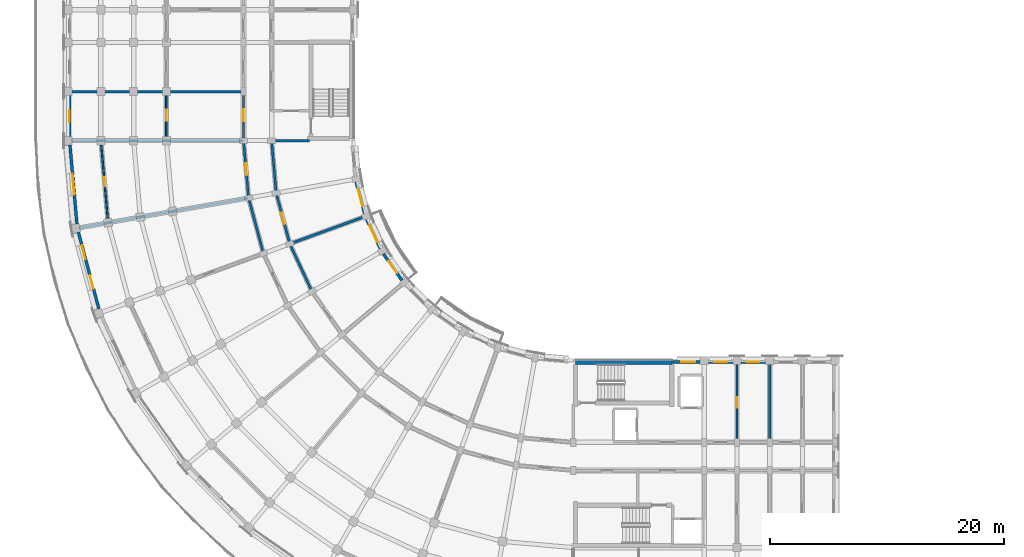
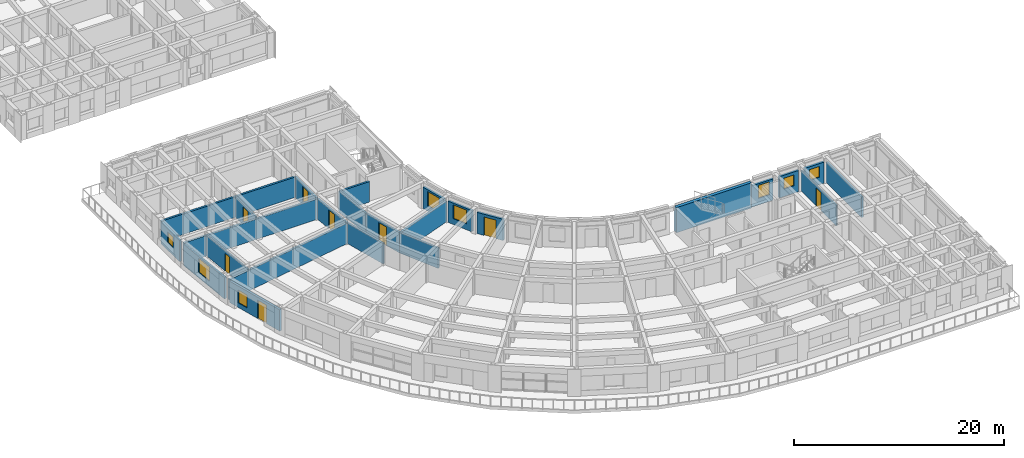
# One storey, part 20 of 57: 25 walls, 8 doors, 8 windows, 16 openings.
"""IFC4 building model written with IfcOpenShell, lengths in metres."""

from ifc_helpers import new_model, si_unit, direction, frame, frame_2d, origin, place, context, subcontext, project, spatial, rectangle, extrude, material, layer, layer_set, type_object, element, fill, save


model = new_model("IFC4")

# Units and contexts
model_context = context("Model", 3, precision=1e-05, world=origin(), true_north=direction((0.0, 1.0)))
body_context = subcontext(model_context, "Body", "Model", "MODEL_VIEW")
ifc_project = project(units=[si_unit("LENGTHUNIT", "METRE"), si_unit("AREAUNIT", "SQUARE_METRE"), si_unit("VOLUMEUNIT", "CUBIC_METRE"), si_unit("PLANEANGLEUNIT", "RADIAN"), si_unit("MASSUNIT", "GRAM", prefix="KILO")], contexts=[model_context])

# Site, building, storey
site_placement = place(None, origin())
site = spatial("IfcSite", under=ifc_project, at=site_placement, CompositionType="ELEMENT")
building_placement = place(site_placement, origin())
building = spatial("IfcBuilding", under=site, at=building_placement, Name="Kiranvali Square Residences", CompositionType="ELEMENT")
storey_placement = place(building_placement, frame((0.0, 0.0, 21.300048828125)))
storey = spatial("IfcBuildingStorey", under=building, at=storey_placement, Name="L06", CompositionType="ELEMENT", Elevation=21.300048828125)

# Wall
ifc_material_1 = material(Name="Autoclaved aerated concrete blockwork masonry", Category="masonry")
ifc_layer_1 = layer(ifc_material_1, 0.199951171875)
ifc_layer_set_1 = layer_set([ifc_layer_1], Name="Autoclaved aerated concrete blockwork masonry")
wall_type_1 = type_object("IfcWallType", Name="WL-COR-200", PredefinedType="STANDARD", material=ifc_layer_set_1)
wall_1_placement = place(storey_placement, frame((25.8564453125, 35.300048828125, 0.0), z_axis=(0.0, 0.0, 1.0), x_axis=(-0.422617978463, 0.906307919131, 0.0)))
element("IfcWall", 1, at=wall_1_placement, inside=storey, type_object=wall_type_1, Name="L06 architectural wall WL-L06-C-CCI-6", PredefinedType="STANDARD", context=body_context, shape_type="SweptSolid", body=[
    extrude(rectangle(XDim=4.497314453125, YDim=0.199951171875, at=frame_2d((2.24853515625, 0.0))), origin(), (0.0, 0.0, 1.0), 2.3720703125),
])

# Wall, opening, door
wall_2_placement = place(storey_placement, frame((23.955810546875, 39.3759765625, 0.0), z_axis=(0.0, 0.0, 1.0), x_axis=(-0.258787642463, 0.965934240054, 0.0)))
wall_2 = element("IfcWall", 2, at=wall_2_placement, inside=storey, type_object=wall_type_1, Name="L06 architectural wall WL-L06-C-CCI-7", PredefinedType="STANDARD", context=body_context, shape_type="SweptSolid", body=[
    extrude(rectangle(XDim=4.497314453125, YDim=0.199951171875, at=frame_2d((2.24853515625, 0.0))), origin(), (0.0, 0.0, 1.0), 2.3720703125),
])
opening_1_placement = place(wall_2_placement, frame((1.728515625, 0.0, 0.0)))
opening_1 = element("IfcOpeningElement", 3, at=opening_1_placement, cuts=wall_2, Name="Opening FD-APT-60B", PredefinedType="OPENING", context=body_context, shape_type="SweptSolid", body=[
    extrude(rectangle(XDim=1.0400390625, YDim=2.14990234375, at=frame_2d((0.52001953125, 1.074951171875))), frame((0.0, 0.10986328125, 0.0), z_axis=(0.0, -1.0, 0.0), x_axis=(1.0, 0.0, 0.0)), (0.0, 0.0, 1.0), 0.219970703125),
])
ifc_material_2 = material(Name="Fire-rated acoustic hardwood and mineral-core door assembly", Category="wood")
door_type_1 = type_object("IfcDoorType", Name="DR-APT-1040", OperationType="NOTDEFINED", PredefinedType="DOOR", material=ifc_material_2)
door_1_placement = place(opening_1_placement, origin())
door_1 = element("IfcDoor", 4, at=door_1_placement, inside=storey, type_object=door_type_1, Name="L06 door DR-L06-2129 (DR-APT-1040)", OperationType="SINGLE_SWING_LEFT", OverallHeight=2.14990234375, OverallWidth=1.0400390625, PredefinedType="DOOR", context=body_context, shape_type="SweptSolid", body=[
    extrude(rectangle(XDim=1.0400390625, YDim=2.14990234375, at=frame_2d((0.52001953125, 1.074951171875))), frame((0.0, 0.02490234375, 0.0), z_axis=(0.0, -1.0, 0.0), x_axis=(1.0, 0.0, 0.0)), (0.0, 0.0, 1.0), 0.050048828125),
])
fill(opening_1, door_1)

# Walls
wall_3_placement = place(storey_placement, frame((21.70068359375, 38.554931640625, 0.0), z_axis=(0.0, 0.0, 1.0), x_axis=(-0.258803112091, 0.965930095386, 0.0)))
element("IfcWall", 5, at=wall_3_placement, inside=storey, type_object=wall_type_1, Name="L06 architectural wall WL-L06-C-CCO-7", PredefinedType="STANDARD", context=body_context, shape_type="SweptSolid", body=[
    extrude(rectangle(XDim=4.915771484375, YDim=0.199951171875, at=frame_2d((2.4580078125, 0.0))), origin(), (0.0, 0.0, 1.0), 2.3720703125),
])
wall_4_placement = place(storey_placement, frame((22.7919921875, 43.719970703125, 0.0), z_axis=(0.0, 0.0, 1.0), x_axis=(-0.087187153726, 0.996191949488, 0.0)))
element("IfcWall", 6, at=wall_4_placement, inside=storey, type_object=wall_type_1, Name="L06 architectural wall WL-L06-C-CCI-8", PredefinedType="STANDARD", context=body_context, shape_type="SweptSolid", body=[
    extrude(rectangle(XDim=4.4970703125, YDim=0.199951171875, at=frame_2d((2.24853515625, 0.0))), origin(), (0.0, 0.0, 1.0), 2.3720703125),
])

# Wall, opening, door
wall_5_placement = place(storey_placement, frame((20.428466796875, 43.30322265625, 0.0), z_axis=(0.0, 0.0, 1.0), x_axis=(-0.087167566415, 0.996193663584, 0.0)))
wall_5 = element("IfcWall", 7, at=wall_5_placement, inside=storey, type_object=wall_type_1, Name="L06 architectural wall WL-L06-C-CCO-8", PredefinedType="STANDARD", context=body_context, shape_type="SweptSolid", body=[
    extrude(rectangle(XDim=4.91552734375, YDim=0.199951171875, at=frame_2d((2.457763671875, 0.0))), origin(), (0.0, 0.0, 1.0), 2.3720703125),
])
opening_2_placement = place(wall_5_placement, frame((1.957763671875, 0.0, 0.0)))
opening_2 = element("IfcOpeningElement", 8, at=opening_2_placement, cuts=wall_5, Name="Opening FD-APT-60", PredefinedType="OPENING", context=body_context, shape_type="SweptSolid", body=[
    extrude(rectangle(XDim=1.0, YDim=2.14990234375, at=frame_2d((0.5, 1.074951171875))), frame((0.0, 0.10986328125, 0.0), z_axis=(0.0, -1.0, 0.0), x_axis=(1.0, 0.0, 0.0)), (0.0, 0.0, 1.0), 0.219970703125),
])
door_type_2 = type_object("IfcDoorType", Name="DR-APT-1000", OperationType="NOTDEFINED", PredefinedType="DOOR", material=ifc_material_2)
door_2_placement = place(opening_2_placement, frame((1.0, 0.0, 0.0), z_axis=(0.0, 0.0, 1.0), x_axis=(-1.0, 0.0, 0.0)))
door_2 = element("IfcDoor", 9, at=door_2_placement, inside=storey, type_object=door_type_2, Name="L06 door DR-L06-2124 (DR-APT-1000)", OperationType="SINGLE_SWING_RIGHT", OverallHeight=2.14990234375, OverallWidth=1.0, PredefinedType="DOOR", context=body_context, shape_type="SweptSolid", body=[
    extrude(rectangle(XDim=1.0, YDim=2.14990234375, at=frame_2d((0.5, 1.074951171875))), frame((0.0, 0.02490234375, 0.0), z_axis=(0.0, -1.0, 0.0), x_axis=(1.0, 0.0, 0.0)), (0.0, 0.0, 1.0), 0.050048828125),
])
fill(opening_2, door_2)

wall_6_placement = place(storey_placement, frame((20.0, 48.35009765625, 0.0), z_axis=(0.0, 0.0, 1.0), x_axis=(0.0, 1.0, 0.0)))
wall_6 = element("IfcWall", 10, at=wall_6_placement, inside=storey, type_object=wall_type_1, Name="L06 architectural wall WL-L06-C-A2CF-C0", PredefinedType="STANDARD", context=body_context, shape_type="SweptSolid", body=[
    extrude(rectangle(XDim=4.0498046875, YDim=0.199951171875, at=frame_2d((2.02490234375, 0.0))), origin(), (0.0, 0.0, 1.0), 2.3720703125),
])
opening_3_placement = place(wall_6_placement, frame((1.52490234375, 0.0, 0.0)))
opening_3 = element("IfcOpeningElement", 11, at=opening_3_placement, cuts=wall_6, Name="Opening FD-APT-60", PredefinedType="OPENING", context=body_context, shape_type="SweptSolid", body=[
    extrude(rectangle(XDim=1.0, YDim=2.14990234375, at=frame_2d((0.5, 1.074951171875))), frame((0.0, 0.10986328125, 0.0), z_axis=(0.0, -1.0, 0.0), x_axis=(1.0, 0.0, 0.0)), (0.0, 0.0, 1.0), 0.219970703125),
])
door_3_placement = place(opening_3_placement, frame((1.0, 0.0, 0.0), z_axis=(0.0, 0.0, 1.0), x_axis=(-1.0, 0.0, 0.0)))
door_3 = element("IfcDoor", 12, at=door_3_placement, inside=storey, type_object=door_type_2, Name="L06 door DR-L06-2130 (DR-APT-1000)", OperationType="SINGLE_SWING_RIGHT", OverallHeight=2.14990234375, OverallWidth=1.0, PredefinedType="DOOR", context=body_context, shape_type="SweptSolid", body=[
    extrude(rectangle(XDim=1.0, YDim=2.14990234375, at=frame_2d((0.5, 1.074951171875))), frame((0.0, 0.02490234375, 0.0), z_axis=(0.0, -1.0, 0.0), x_axis=(1.0, 0.0, 0.0)), (0.0, 0.0, 1.0), 0.050048828125),
])
fill(opening_3, door_3)

# Walls
ifc_layer_2 = layer(ifc_material_1, 0.219970703125)
ifc_layer_set_2 = layer_set([ifc_layer_2], Name="Autoclaved aerated concrete blockwork masonry")
wall_type_2 = type_object("IfcWallType", Name="WL-DEM-220", PredefinedType="STANDARD", material=ifc_layer_set_2)
for number, where, z_axis, x_axis, name in (
    (13, (65.0, 29.199951171875, 0.0), (0.0, 0.0, 1.0), (0.0, -1.0, 0.0), "L06 architectural wall WL-L06-C-A1TI-2"),
    (14, (30.345947265625, 41.70166015625, 0.0), (0.0, 0.0, 1.0), (-0.939696231917, -0.342010221662, 0.0), "L06 architectural wall WL-L06-C-RADI-7"),
):
    element("IfcWall", number, at=place(storey_placement, frame(where, z_axis=z_axis, x_axis=x_axis)), inside=storey, type_object=wall_type_2, Name=name, PredefinedType="STANDARD", context=body_context, shape_type="SweptSolid", body=[
        extrude(rectangle(XDim=6.75, YDim=0.219970703125, at=frame_2d((3.375, 0.0))), origin(), (0.0, 0.0, 1.0), 2.3720703125),
    ])
wall_7_placement = place(storey_placement, frame((20.329833984375, 43.28564453125, 0.0), z_axis=(0.0, 0.0, 1.0), x_axis=(-0.984809269474, -0.173639577162, 0.0)))
element("IfcWall", 15, at=wall_7_placement, inside=storey, type_object=wall_type_2, Name="L06 architectural wall WL-L06-C-RADO-8", PredefinedType="STANDARD", context=body_context, shape_type="SweptSolid", body=[
    extrude(rectangle(XDim=14.619873046875, YDim=0.219970703125, at=frame_2d((7.31005859375, 0.0))), origin(), (0.0, 0.0, 1.0), 2.3720703125),
])
wall_8_placement = place(storey_placement, frame((25.64990234375, 48.199951171875, 0.0), z_axis=(0.0, 0.0, 1.0), x_axis=(-1.0, 0.0, 0.0)))
element("IfcWall", 16, at=wall_8_placement, inside=storey, type_object=wall_type_2, Name="L06 architectural wall WL-L06-C-RADI-9", PredefinedType="STANDARD", context=body_context, shape_type="SweptSolid", body=[
    extrude(rectangle(XDim=3.199951171875, YDim=0.219970703125, at=frame_2d((1.60009765625, 0.0))), origin(), (0.0, 0.0, 1.0), 2.3720703125),
])
wall_9_placement = place(storey_placement, frame((19.89990234375, 48.199951171875, 0.0), z_axis=(0.0, 0.0, 1.0), x_axis=(-1.0, 0.0, 0.0)))
element("IfcWall", 17, at=wall_9_placement, inside=storey, type_object=wall_type_2, Name="L06 architectural wall WL-L06-C-RADO-9", PredefinedType="STANDARD", context=body_context, shape_type="SweptSolid", body=[
    extrude(rectangle(XDim=14.619873046875, YDim=0.219970703125, at=frame_2d((7.31005859375, 0.0))), origin(), (0.0, 0.0, 1.0), 2.3720703125),
])
wall_10_placement = place(storey_placement, frame((19.949951171875, 52.39990234375, 0.0), z_axis=(0.0, 0.0, 1.0), x_axis=(-1.0, 0.0, 0.0)))
element("IfcWall", 18, at=wall_10_placement, inside=storey, type_object=wall_type_2, Name="L06 architectural wall WL-L06-C-A2CF-MID", PredefinedType="STANDARD", context=body_context, shape_type="SweptSolid", body=[
    extrude(rectangle(XDim=14.72998046875, YDim=0.219970703125, at=frame_2d((7.364990234375, 0.0))), origin(), (0.0, 0.0, 1.0), 2.3720703125),
])

# Wall, openings, door, window
ifc_material_3 = material(Name="Breathable lime-rendered clay brick masonry", Category="masonry")
ifc_layer_3 = layer(ifc_material_3, 0.25)
ifc_layer_set_3 = layer_set([ifc_layer_3], Name="Breathable lime-rendered clay brick masonry")
wall_type_3 = type_object("IfcWallType", Name="WL-EXT-250", PredefinedType="STANDARD", material=ifc_layer_set_3)
wall_11_placement = place(storey_placement, frame((7.628662109375, 33.820068359375, 0.0), z_axis=(0.0, 0.0, 1.0), x_axis=(-0.258814697035, 0.96592699134, 0.0)))
wall_11 = element("IfcWall", 19, at=wall_11_placement, inside=storey, type_object=wall_type_3, Name="L06 exterior wall C-L06-CRV-07", PredefinedType="STANDARD", context=body_context, shape_type="SweptSolid", body=[
    extrude(rectangle(XDim=6.778564453125, YDim=0.25, at=frame_2d((3.38916015625, 0.0))), origin(), (0.0, 0.0, 1.0), 2.47998046875),
])
opening_4_placement = place(wall_11_placement, frame((4.404541015625, 0.0, 0.530029296875)))
opening_4 = element("IfcOpeningElement", 20, at=opening_4_placement, cuts=wall_11, Name="Opening W-06", PredefinedType="OPENING", context=body_context, shape_type="SweptSolid", body=[
    extrude(rectangle(XDim=1.199951171875, YDim=1.5, at=frame_2d((0.60009765625, 0.75))), frame((0.0, 0.135009765625, 0.0), z_axis=(0.0, -1.0, 0.0), x_axis=(1.0, 0.0, 0.0)), (0.0, 0.0, 1.0), 0.27001953125),
])
opening_5_placement = place(wall_11_placement, frame((1.7724609375, 0.0, 0.0)))
opening_5 = element("IfcOpeningElement", 21, at=opening_5_placement, cuts=wall_11, Name="Opening ED-BAL-1", PredefinedType="OPENING", context=body_context, shape_type="SweptSolid", body=[
    extrude(rectangle(XDim=1.199951171875, YDim=2.14990234375, at=frame_2d((0.60009765625, 1.074951171875))), frame((0.0, 0.135009765625, 0.0), z_axis=(0.0, -1.0, 0.0), x_axis=(1.0, 0.0, 0.0)), (0.0, 0.0, 1.0), 0.27001953125),
])
ifc_material_4 = material(Name="Anodised bronze aluminium framing", Category="aluminium")
door_type_3 = type_object("IfcDoorType", Name="DR-BAL-1200", OperationType="NOTDEFINED", PredefinedType="DOOR", material=ifc_material_4)
door_4_placement = place(opening_5_placement, origin())
door_4 = element("IfcDoor", 22, at=door_4_placement, inside=storey, type_object=door_type_3, Name="L06 balcony terrace door", OperationType="SINGLE_SWING_RIGHT", OverallHeight=2.14990234375, OverallWidth=1.199951171875, PredefinedType="DOOR", context=body_context, shape_type="SweptSolid", body=[
    extrude(rectangle(XDim=1.199951171875, YDim=2.14990234375, at=frame_2d((0.60009765625, 1.074951171875))), frame((0.0, 0.02490234375, 0.0), z_axis=(0.0, -1.0, 0.0), x_axis=(1.0, 0.0, 0.0)), (0.0, 0.0, 1.0), 0.050048828125),
])
fill(opening_5, door_4)
ifc_material_5 = material(Name="Solar-control low-e double glazing", Category="glass")
window_type_1 = type_object("IfcWindowType", Name="WIN-RES-1200x1500", PartitioningType="SINGLE_PANEL", PredefinedType="WINDOW", material=ifc_material_5)
window_1_placement = place(opening_4_placement, origin())
window_1 = element("IfcWindow", 23, at=window_1_placement, inside=storey, type_object=window_type_1, Name="L06 recessed window C-L06-CRV-07", OverallHeight=1.5, OverallWidth=1.199951171875, PartitioningType="SINGLE_PANEL", PredefinedType="WINDOW", context=body_context, shape_type="SweptSolid", body=[
    extrude(rectangle(XDim=1.199951171875, YDim=1.5, at=frame_2d((0.60009765625, 0.75))), frame((0.0, 0.030029296875, 0.0), z_axis=(0.0, -1.0, 0.0), x_axis=(1.0, 0.0, 0.0)), (0.0, 0.0, 1.0), 0.06005859375),
])
fill(opening_4, window_1)

# Wall, opening, window
wall_12_placement = place(storey_placement, frame((5.748046875, 41.083740234375, 0.0), z_axis=(0.0, 0.0, 1.0), x_axis=(-0.087161141987, 0.996194225705, 0.0)))
wall_12 = element("IfcWall", 24, at=wall_12_placement, inside=storey, type_object=wall_type_3, Name="L06 exterior wall C-L06-CRV-08", PredefinedType="STANDARD", context=body_context, shape_type="SweptSolid", body=[
    extrude(rectangle(XDim=6.778564453125, YDim=0.25, at=frame_2d((3.38916015625, 0.0))), origin(), (0.0, 0.0, 1.0), 2.47998046875),
])
opening_6_placement = place(wall_12_placement, frame((2.4892578125, 0.0, 0.6298828125)))
opening_6 = element("IfcOpeningElement", 25, at=opening_6_placement, cuts=wall_12, Name="Opening W-04", PredefinedType="OPENING", context=body_context, shape_type="SweptSolid", body=[
    extrude(rectangle(XDim=1.800048828125, YDim=1.64990234375, at=frame_2d((0.89990234375, 0.824951171875))), frame((0.0, 0.135009765625, 0.0), z_axis=(0.0, -1.0, 0.0), x_axis=(1.0, 0.0, 0.0)), (0.0, 0.0, 1.0), 0.27001953125),
])
window_type_2 = type_object("IfcWindowType", Name="WIN-RES-1800x1650", PartitioningType="DOUBLE_PANEL_VERTICAL", PredefinedType="WINDOW", material=ifc_material_5)
window_2_placement = place(opening_6_placement, origin())
window_2 = element("IfcWindow", 26, at=window_2_placement, inside=storey, type_object=window_type_2, Name="L06 recessed window C-L06-CRV-08", OverallHeight=1.64990234375, OverallWidth=1.800048828125, PartitioningType="DOUBLE_PANEL_VERTICAL", PredefinedType="WINDOW", context=body_context, shape_type="SweptSolid", body=[
    extrude(rectangle(XDim=1.800048828125, YDim=1.64990234375, at=frame_2d((0.89990234375, 0.824951171875))), frame((0.0, 0.030029296875, 0.0), z_axis=(0.0, -1.0, 0.0), x_axis=(1.0, 0.0, 0.0)), (0.0, 0.0, 1.0), 0.06005859375),
])
fill(opening_6, window_2)

# Wall, opening, door
wall_13_placement = place(storey_placement, frame((33.550537109375, 36.251708984375, 0.0), z_axis=(0.0, 0.0, 1.0), x_axis=(-0.573633885053, 0.819111815273, 0.0)))
wall_13 = element("IfcWall", 27, at=wall_13_placement, inside=storey, type_object=wall_type_3, Name="L06 exterior wall C-L06-GDN-05", PredefinedType="STANDARD", context=body_context, shape_type="SweptSolid", body=[
    extrude(rectangle(XDim=2.769775390625, YDim=0.25, at=frame_2d((1.384765625, 0.0))), origin(), (0.0, 0.0, 1.0), 2.471923828125),
])
opening_7_placement = place(wall_13_placement, frame((0.7548828125, 0.0, 0.0)))
opening_7 = element("IfcOpeningElement", 28, at=opening_7_placement, cuts=wall_13, Name="Opening ED-BAL-2", PredefinedType="OPENING", context=body_context, shape_type="SweptSolid", body=[
    extrude(rectangle(XDim=1.260009765625, YDim=2.14990234375, at=frame_2d((0.6298828125, 1.074951171875))), frame((0.0, 0.135009765625, 0.0), z_axis=(0.0, -1.0, 0.0), x_axis=(1.0, 0.0, 0.0)), (0.0, 0.0, 1.0), 0.27001953125),
])
door_type_4 = type_object("IfcDoorType", Name="DR-BAL-1260", OperationType="NOTDEFINED", PredefinedType="DOOR", material=ifc_material_4)
door_5_placement = place(opening_7_placement, frame((1.260009765625, 0.0, 0.0), z_axis=(0.0, 0.0, 1.0), x_axis=(-1.0, 0.0, 0.0)))
door_5 = element("IfcDoor", 29, at=door_5_placement, inside=storey, type_object=door_type_4, Name="L06 balcony terrace door", OperationType="SINGLE_SWING_RIGHT", OverallHeight=2.14990234375, OverallWidth=1.260009765625, PredefinedType="DOOR", context=body_context, shape_type="SweptSolid", body=[
    extrude(rectangle(XDim=1.260009765625, YDim=2.14990234375, at=frame_2d((0.6298828125, 1.074951171875))), frame((0.0, 0.02490234375, 0.0), z_axis=(0.0, -1.0, 0.0), x_axis=(1.0, 0.0, 0.0)), (0.0, 0.0, 1.0), 0.050048828125),
])
fill(opening_7, door_5)

# Wall, opening, window
wall_14_placement = place(storey_placement, frame((31.6982421875, 38.97705078125, 0.0), z_axis=(0.0, 0.0, 1.0), x_axis=(-0.422649007088, 0.906293449611, 0.0)))
wall_14 = element("IfcWall", 30, at=wall_14_placement, inside=storey, type_object=wall_type_3, Name="L06 exterior wall C-L06-GDN-06", PredefinedType="STANDARD", context=body_context, shape_type="SweptSolid", body=[
    extrude(rectangle(XDim=2.769775390625, YDim=0.25, at=frame_2d((1.384765625, 0.0))), origin(), (0.0, 0.0, 1.0), 2.471923828125),
])
opening_8_placement = place(wall_14_placement, frame((0.60986328125, 0.0, 0.672119140625)))
opening_8 = element("IfcOpeningElement", 31, at=opening_8_placement, cuts=wall_14, Name="Opening W-18", PredefinedType="OPENING", context=body_context, shape_type="SweptSolid", body=[
    extrude(rectangle(XDim=1.550048828125, YDim=1.60009765625, at=frame_2d((0.77490234375, 0.800048828125))), frame((0.0, 0.135009765625, 0.0), z_axis=(0.0, -1.0, 0.0), x_axis=(1.0, 0.0, 0.0)), (0.0, 0.0, 1.0), 0.27001953125),
])
window_type_3 = type_object("IfcWindowType", Name="WIN-GDN-1550x1600", PartitioningType="DOUBLE_PANEL_VERTICAL", PredefinedType="WINDOW", material=ifc_material_5)
window_3_placement = place(opening_8_placement, origin())
window_3 = element("IfcWindow", 32, at=window_3_placement, inside=storey, type_object=window_type_3, Name="L06 recessed window C-L06-GDN-06", OverallHeight=1.60009765625, OverallWidth=1.550048828125, PartitioningType="DOUBLE_PANEL_VERTICAL", PredefinedType="WINDOW", context=body_context, shape_type="SweptSolid", body=[
    extrude(rectangle(XDim=1.550048828125, YDim=1.60009765625, at=frame_2d((0.77490234375, 0.800048828125))), frame((0.0, 0.030029296875, 0.0), z_axis=(0.0, -1.0, 0.0), x_axis=(1.0, 0.0, 0.0)), (0.0, 0.0, 1.0), 0.06005859375),
])
fill(opening_8, window_3)

wall_15_placement = place(storey_placement, frame((30.347412109375, 41.982666015625, 0.0), z_axis=(0.0, 0.0, 1.0), x_axis=(-0.25878161084, 0.965935855992, 0.0)))
wall_15 = element("IfcWall", 33, at=wall_15_placement, inside=storey, type_object=wall_type_3, Name="L06 exterior wall C-L06-GDN-07", PredefinedType="STANDARD", context=body_context, shape_type="SweptSolid", body=[
    extrude(rectangle(XDim=2.769775390625, YDim=0.25, at=frame_2d((1.384765625, 0.0))), origin(), (0.0, 0.0, 1.0), 2.471923828125),
])
opening_9_placement = place(wall_15_placement, frame((0.635009765625, 0.0, 0.6220703125)))
opening_9 = element("IfcOpeningElement", 34, at=opening_9_placement, cuts=wall_15, Name="Opening W-05", PredefinedType="OPENING", context=body_context, shape_type="SweptSolid", body=[
    extrude(rectangle(XDim=1.5, YDim=1.64990234375, at=frame_2d((0.75, 0.824951171875))), frame((0.0, 0.135009765625, 0.0), z_axis=(0.0, -1.0, 0.0), x_axis=(1.0, 0.0, 0.0)), (0.0, 0.0, 1.0), 0.27001953125),
])
window_type_4 = type_object("IfcWindowType", Name="WIN-RES-1500x1650", PartitioningType="DOUBLE_PANEL_VERTICAL", PredefinedType="WINDOW", material=ifc_material_5)
window_4_placement = place(opening_9_placement, origin())
window_4 = element("IfcWindow", 35, at=window_4_placement, inside=storey, type_object=window_type_4, Name="L06 recessed window C-L06-GDN-07", OverallHeight=1.64990234375, OverallWidth=1.5, PartitioningType="DOUBLE_PANEL_VERTICAL", PredefinedType="WINDOW", context=body_context, shape_type="SweptSolid", body=[
    extrude(rectangle(XDim=1.5, YDim=1.64990234375, at=frame_2d((0.75, 0.824951171875))), frame((0.0, 0.030029296875, 0.0), z_axis=(0.0, -1.0, 0.0), x_axis=(1.0, 0.0, 0.0)), (0.0, 0.0, 1.0), 0.06005859375),
])
fill(opening_9, window_4)

wall_16_placement = place(storey_placement, frame((56.62841796875, 29.27490234375, 0.0), z_axis=(0.0, 0.0, 1.0), x_axis=(1.0, 0.0, 0.0)))
wall_16 = element("IfcWall", 36, at=wall_16_placement, inside=storey, type_object=wall_type_3, Name="L06 exterior wall C-L06-A1IN-0", PredefinedType="STANDARD", context=body_context, shape_type="SweptSolid", body=[
    extrude(rectangle(XDim=2.421630859375, YDim=0.25, at=frame_2d((1.2109375, 0.0))), origin(), (0.0, 0.0, 1.0), 2.471923828125),
])
opening_10_placement = place(wall_16_placement, frame((0.821533203125, 0.0, 0.77197265625)))
opening_10 = element("IfcOpeningElement", 37, at=opening_10_placement, cuts=wall_16, Name="Opening W-06", PredefinedType="OPENING", context=body_context, shape_type="SweptSolid", body=[
    extrude(rectangle(XDim=1.199951171875, YDim=1.5, at=frame_2d((0.60009765625, 0.75))), frame((0.0, 0.135009765625, 0.0), z_axis=(0.0, -1.0, 0.0), x_axis=(1.0, 0.0, 0.0)), (0.0, 0.0, 1.0), 0.27001953125),
])
window_5_placement = place(opening_10_placement, origin())
window_5 = element("IfcWindow", 38, at=window_5_placement, inside=storey, type_object=window_type_1, Name="L06 recessed window C-L06-A1IN-0", OverallHeight=1.5, OverallWidth=1.199951171875, PartitioningType="SINGLE_PANEL", PredefinedType="WINDOW", context=body_context, shape_type="SweptSolid", body=[
    extrude(rectangle(XDim=1.199951171875, YDim=1.5, at=frame_2d((0.60009765625, 0.75))), frame((0.0, 0.030029296875, 0.0), z_axis=(0.0, -1.0, 0.0), x_axis=(1.0, 0.0, 0.0)), (0.0, 0.0, 1.0), 0.06005859375),
])
fill(opening_10, window_5)

wall_17_placement = place(storey_placement, frame((59.75341796875, 29.27490234375, 0.0), z_axis=(0.0, 0.0, 1.0), x_axis=(1.0, 0.0, 0.0)))
wall_17 = element("IfcWall", 39, at=wall_17_placement, inside=storey, type_object=wall_type_3, Name="L06 exterior wall C-L06-A1I-0", PredefinedType="STANDARD", context=body_context, shape_type="SweptSolid", body=[
    extrude(rectangle(XDim=2.093017578125, YDim=0.25, at=frame_2d((1.04638671875, 0.0))), origin(), (0.0, 0.0, 1.0), 2.471923828125),
])
opening_11_placement = place(wall_17_placement, frame((0.521484375, 0.0, 0.8798828125)))
opening_11 = element("IfcOpeningElement", 40, at=opening_11_placement, cuts=wall_17, Name="Opening W-24", PredefinedType="OPENING", context=body_context, shape_type="SweptSolid", body=[
    extrude(rectangle(XDim=1.050048828125, YDim=1.25, at=frame_2d((0.52490234375, 0.625))), frame((0.0, 0.135009765625, 0.0), z_axis=(0.0, -1.0, 0.0), x_axis=(1.0, 0.0, 0.0)), (0.0, 0.0, 1.0), 0.27001953125),
])
window_type_5 = type_object("IfcWindowType", Name="WIN-COR-1050x1250", PartitioningType="SINGLE_PANEL", PredefinedType="WINDOW", material=ifc_material_5)
window_6_placement = place(opening_11_placement, origin())
window_6 = element("IfcWindow", 41, at=window_6_placement, inside=storey, type_object=window_type_5, Name="L06 recessed window C-L06-A1I-0", OverallHeight=1.25, OverallWidth=1.050048828125, PartitioningType="SINGLE_PANEL", PredefinedType="WINDOW", context=body_context, shape_type="SweptSolid", body=[
    extrude(rectangle(XDim=1.050048828125, YDim=1.25, at=frame_2d((0.52490234375, 0.625))), frame((0.0, 0.030029296875, 0.0), z_axis=(0.0, -1.0, 0.0), x_axis=(1.0, 0.0, 0.0)), (0.0, 0.0, 1.0), 0.06005859375),
])
fill(opening_11, window_6)

wall_18_placement = place(storey_placement, frame((62.553466796875, 29.27490234375, 0.0), z_axis=(0.0, 0.0, 1.0), x_axis=(1.0, 0.0, 0.0)))
wall_18 = element("IfcWall", 42, at=wall_18_placement, inside=storey, type_object=wall_type_3, Name="L06 exterior wall C-L06-A1I-1", PredefinedType="STANDARD", context=body_context, shape_type="SweptSolid", body=[
    extrude(rectangle(XDim=2.093017578125, YDim=0.25, at=frame_2d((1.04638671875, 0.0))), origin(), (0.0, 0.0, 1.0), 2.471923828125),
])
opening_12_placement = place(wall_18_placement, frame((0.521484375, 0.0, 0.8798828125)))
opening_12 = element("IfcOpeningElement", 43, at=opening_12_placement, cuts=wall_18, Name="Opening W-24", PredefinedType="OPENING", context=body_context, shape_type="SweptSolid", body=[
    extrude(rectangle(XDim=1.050048828125, YDim=1.25, at=frame_2d((0.52490234375, 0.625))), frame((0.0, 0.135009765625, 0.0), z_axis=(0.0, -1.0, 0.0), x_axis=(1.0, 0.0, 0.0)), (0.0, 0.0, 1.0), 0.27001953125),
])
window_7_placement = place(opening_12_placement, origin())
window_7 = element("IfcWindow", 44, at=window_7_placement, inside=storey, type_object=window_type_5, Name="L06 recessed window C-L06-A1I-1", OverallHeight=1.25, OverallWidth=1.050048828125, PartitioningType="SINGLE_PANEL", PredefinedType="WINDOW", context=body_context, shape_type="SweptSolid", body=[
    extrude(rectangle(XDim=1.050048828125, YDim=1.25, at=frame_2d((0.52490234375, 0.625))), frame((0.0, 0.030029296875, 0.0), z_axis=(0.0, -1.0, 0.0), x_axis=(1.0, 0.0, 0.0)), (0.0, 0.0, 1.0), 0.06005859375),
])
fill(opening_12, window_7)

wall_19_placement = place(storey_placement, frame((5.125, 48.553466796875, 0.0), z_axis=(0.0, 0.0, 1.0), x_axis=(0.0, 1.0, 0.0)))
wall_19 = element("IfcWall", 45, at=wall_19_placement, inside=storey, type_object=wall_type_3, Name="L06 exterior wall C-L06-A2O-0", PredefinedType="STANDARD", context=body_context, shape_type="SweptSolid", body=[
    extrude(rectangle(XDim=3.492919921875, YDim=0.25, at=frame_2d((1.74658203125, 0.0))), origin(), (0.0, 0.0, 1.0), 2.47998046875),
])
opening_13_placement = place(wall_19_placement, frame((1.221435546875, 0.0, 0.8798828125)))
opening_13 = element("IfcOpeningElement", 46, at=opening_13_placement, cuts=wall_19, Name="Opening W-24", PredefinedType="OPENING", context=body_context, shape_type="SweptSolid", body=[
    extrude(rectangle(XDim=1.050048828125, YDim=1.25, at=frame_2d((0.52490234375, 0.625))), frame((0.0, 0.135009765625, 0.0), z_axis=(0.0, -1.0, 0.0), x_axis=(1.0, 0.0, 0.0)), (0.0, 0.0, 1.0), 0.27001953125),
])
window_8_placement = place(opening_13_placement, origin())
window_8 = element("IfcWindow", 47, at=window_8_placement, inside=storey, type_object=window_type_5, Name="L06 recessed window C-L06-A2O-0", OverallHeight=1.25, OverallWidth=1.050048828125, PartitioningType="SINGLE_PANEL", PredefinedType="WINDOW", context=body_context, shape_type="SweptSolid", body=[
    extrude(rectangle(XDim=1.050048828125, YDim=1.25, at=frame_2d((0.52490234375, 0.625))), frame((0.0, 0.030029296875, 0.0), z_axis=(0.0, -1.0, 0.0), x_axis=(1.0, 0.0, 0.0)), (0.0, 0.0, 1.0), 0.06005859375),
])
fill(opening_13, window_8)

# Wall, opening, door
ifc_material_6 = material(Name="Acoustic gypsum board drylined partition", Category="gypsum")
ifc_layer_4 = layer(ifc_material_6, 0.14990234375)
ifc_layer_set_4 = layer_set([ifc_layer_4], Name="Acoustic gypsum board drylined partition")
wall_type_4 = type_object("IfcWallType", Name="WL-PRT-150", PredefinedType="PARTITIONING", material=ifc_layer_set_4)
wall_20_placement = place(storey_placement, frame((62.199951171875, 29.199951171875, 0.0), z_axis=(0.0, 0.0, 1.0), x_axis=(0.0, -1.0, 0.0)))
wall_20 = element("IfcWall", 48, at=wall_20_placement, inside=storey, type_object=wall_type_4, Name="L06 architectural wall WL-L06-C-A1TI-1", PredefinedType="PARTITIONING", context=body_context, shape_type="SweptSolid", body=[
    extrude(rectangle(XDim=6.75, YDim=0.14990234375, at=frame_2d((3.375, 0.0))), origin(), (0.0, 0.0, 1.0), 2.3720703125),
])
opening_14_placement = place(wall_20_placement, frame((2.925048828125, 0.0, 0.0)))
opening_14 = element("IfcOpeningElement", 49, at=opening_14_placement, cuts=wall_20, Name="Opening ID-1", PredefinedType="OPENING", context=body_context, shape_type="SweptSolid", body=[
    extrude(rectangle(XDim=0.89990234375, YDim=2.10009765625, at=frame_2d((0.449951171875, 1.050048828125))), frame((0.0, 0.0849609375, 0.0), z_axis=(0.0, -1.0, 0.0), x_axis=(1.0, 0.0, 0.0)), (0.0, 0.0, 1.0), 0.169921875),
])
ifc_material_7 = material(Name="Solid seasoned teak hardwood joinery", Category="wood")
door_type_5 = type_object("IfcDoorType", Name="DR-INT-900", OperationType="NOTDEFINED", PredefinedType="DOOR", material=ifc_material_7)
door_6_placement = place(opening_14_placement, origin())
door_6 = element("IfcDoor", 50, at=door_6_placement, inside=storey, type_object=door_type_5, Name="L06 door DR-L06-2105 (DR-INT-900)", OperationType="SINGLE_SWING_LEFT", OverallHeight=2.10009765625, OverallWidth=0.89990234375, PredefinedType="DOOR", context=body_context, shape_type="SweptSolid", body=[
    extrude(rectangle(XDim=0.89990234375, YDim=2.10009765625, at=frame_2d((0.449951171875, 1.050048828125))), frame((0.0, 0.02490234375, 0.0), z_axis=(0.0, -1.0, 0.0), x_axis=(1.0, 0.0, 0.0)), (0.0, 0.0, 1.0), 0.050048828125),
])
fill(opening_14, door_6)

wall_21_placement = place(storey_placement, frame((13.39990234375, 48.429931640625, 0.0), z_axis=(0.0, 0.0, 1.0), x_axis=(0.0, 1.0, 0.0)))
wall_21 = element("IfcWall", 51, at=wall_21_placement, inside=storey, type_object=wall_type_4, Name="L06 architectural wall WL-L06-C-A2CF-SP0", PredefinedType="PARTITIONING", context=body_context, shape_type="SweptSolid", body=[
    extrude(rectangle(XDim=3.89013671875, YDim=0.14990234375, at=frame_2d((1.945068359375, 0.0))), origin(), (0.0, 0.0, 1.0), 2.3720703125),
])
opening_15_placement = place(wall_21_placement, frame((1.4951171875, 0.0, 0.0)))
opening_15 = element("IfcOpeningElement", 52, at=opening_15_placement, cuts=wall_21, Name="Opening ID-1", PredefinedType="OPENING", context=body_context, shape_type="SweptSolid", body=[
    extrude(rectangle(XDim=0.89990234375, YDim=2.10009765625, at=frame_2d((0.449951171875, 1.050048828125))), frame((0.0, 0.0849609375, 0.0), z_axis=(0.0, -1.0, 0.0), x_axis=(1.0, 0.0, 0.0)), (0.0, 0.0, 1.0), 0.169921875),
])
door_7_placement = place(opening_15_placement, origin())
door_7 = element("IfcDoor", 53, at=door_7_placement, inside=storey, type_object=door_type_5, Name="L06 door DR-L06-2131 (DR-INT-900)", OperationType="SINGLE_SWING_LEFT", OverallHeight=2.10009765625, OverallWidth=0.89990234375, PredefinedType="DOOR", context=body_context, shape_type="SweptSolid", body=[
    extrude(rectangle(XDim=0.89990234375, YDim=2.10009765625, at=frame_2d((0.449951171875, 1.050048828125))), frame((0.0, 0.02490234375, 0.0), z_axis=(0.0, -1.0, 0.0), x_axis=(1.0, 0.0, 0.0)), (0.0, 0.0, 1.0), 0.050048828125),
])
fill(opening_15, door_7)

# Wall
ifc_material_8 = material(Name="Concrete M45 (45 MPa)", Category="concrete")
ifc_layer_5 = layer(ifc_material_8, 0.320068359375)
ifc_layer_set_5 = layer_set([ifc_layer_5], Name="Concrete M45 (45 MPa)")
wall_type_5 = type_object("IfcWallType", Name="WL-SHR-320", PredefinedType="SHEAR", material=ifc_layer_set_5)
wall_22_placement = place(storey_placement, frame((48.375, 29.22509765625, 0.0), z_axis=(0.0, 0.0, 1.0), x_axis=(1.0, 0.0, 0.0)))
element("IfcWall", 54, at=wall_22_placement, inside=storey, type_object=wall_type_5, Name="Block C core shear wall SW-C2-OUT-L06", PredefinedType="SHEAR", context=body_context, shape_type="SweptSolid", body=[
    extrude(rectangle(XDim=8.25, YDim=0.35009765625, at=frame_2d((4.125, 0.0))), origin(), (0.0, 0.0, 1.0), 2.929931640625),
])

# Wall, opening, door
ifc_layer_6 = layer(ifc_material_1, 0.14990234375)
ifc_layer_set_6 = layer_set([ifc_layer_6], Name="Autoclaved aerated concrete blockwork masonry")
wall_type_6 = type_object("IfcWallType", Name="WL-WET-150", PredefinedType="PLUMBINGWALL", material=ifc_layer_set_6)
wall_23_placement = place(storey_placement, frame((8.413818359375, 41.1845703125, 0.0), z_axis=(0.0, 0.0, 1.0), x_axis=(-0.087156198737, 0.996194658198, 0.0)))
wall_23 = element("IfcWall", 55, at=wall_23_placement, inside=storey, type_object=wall_type_6, Name="L06 architectural wall WL-L06-C-CWET-8", PredefinedType="PLUMBINGWALL", context=body_context, shape_type="SweptSolid", body=[
    extrude(rectangle(XDim=7.042236328125, YDim=0.14990234375, at=frame_2d((3.52099609375, 0.0))), origin(), (0.0, 0.0, 1.0), 2.3720703125),
])
opening_16_placement = place(wall_23_placement, frame((3.14111328125, 0.0, 0.0)))
opening_16 = element("IfcOpeningElement", 56, at=opening_16_placement, cuts=wall_23, Name="Opening ID-WET0", PredefinedType="OPENING", context=body_context, shape_type="SweptSolid", body=[
    extrude(rectangle(XDim=0.760009765625, YDim=2.050048828125, at=frame_2d((0.3798828125, 1.02490234375))), frame((0.0, 0.0849609375, 0.0), z_axis=(0.0, -1.0, 0.0), x_axis=(1.0, 0.0, 0.0)), (0.0, 0.0, 1.0), 0.169921875),
])
door_type_6 = type_object("IfcDoorType", Name="DR-WET-760", OperationType="NOTDEFINED", PredefinedType="DOOR", material=ifc_material_7)
door_8_placement = place(opening_16_placement, origin())
door_8 = element("IfcDoor", 57, at=door_8_placement, inside=storey, type_object=door_type_6, Name="L06 door DR-L06-2125 (DR-WET-760)", OperationType="SINGLE_SWING_LEFT", OverallHeight=2.050048828125, OverallWidth=0.760009765625, PredefinedType="DOOR", context=body_context, shape_type="SweptSolid", body=[
    extrude(rectangle(XDim=0.760009765625, YDim=2.050048828125, at=frame_2d((0.3798828125, 1.02490234375))), frame((0.0, 0.02490234375, 0.0), z_axis=(0.0, -1.0, 0.0), x_axis=(1.0, 0.0, 0.0)), (0.0, 0.0, 1.0), 0.050048828125),
])
fill(opening_16, door_8)

save(model, "model.ifc")
